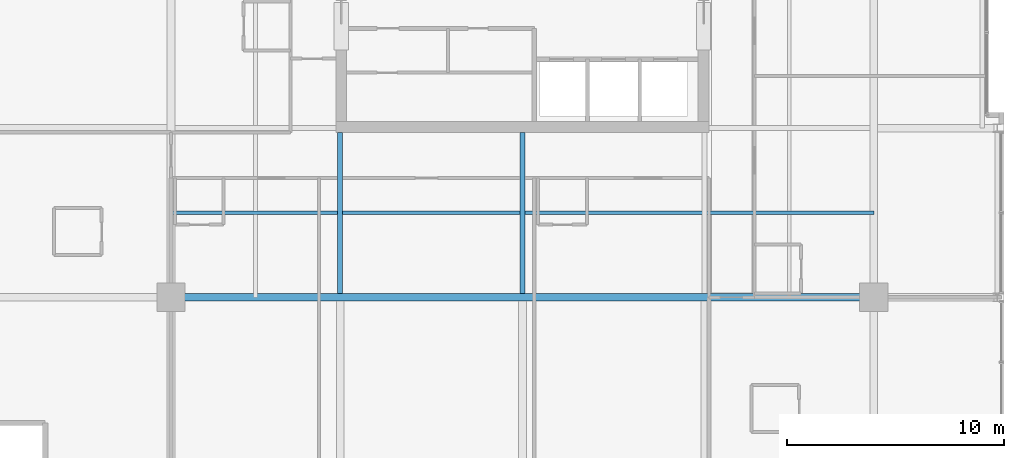
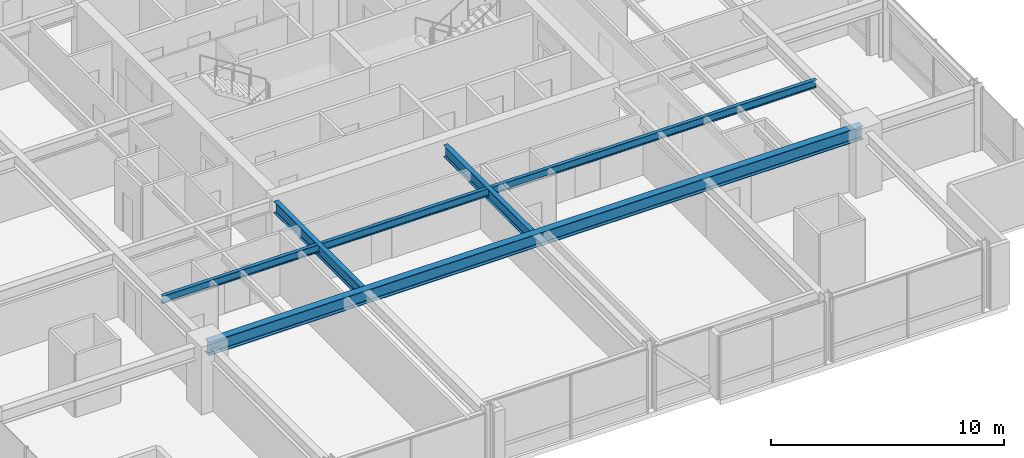
# One storey, part 6 of 32: 4 beams.
"""IFC4 building model written with IfcOpenShell, lengths in metres."""

from ifc_helpers import new_model, si_unit, direction, frame, origin, origin_2d, place, context, subcontext, project, spatial, i_section, extrude, material, material_profile, profile_set, type_object, element, save


model = new_model("IFC4")

# Units and contexts
model_context = context("Model", 3, precision=1e-05, world=origin(), true_north=direction((0.0, 1.0)))
body_context = subcontext(model_context, "Body", "Model", "MODEL_VIEW")
ifc_project = project(units=[si_unit("LENGTHUNIT", "METRE"), si_unit("AREAUNIT", "SQUARE_METRE"), si_unit("VOLUMEUNIT", "CUBIC_METRE"), si_unit("PLANEANGLEUNIT", "RADIAN"), si_unit("MASSUNIT", "GRAM", prefix="KILO")], contexts=[model_context])

# Site, building, storey
site_placement = place(None, origin())
site = spatial("IfcSite", under=ifc_project, at=site_placement, CompositionType="ELEMENT")
building_placement = place(site_placement, origin())
building = spatial("IfcBuilding", under=site, at=building_placement, Name="Drelvath Grand Hotel", CompositionType="ELEMENT")
storey_placement = place(building_placement, frame((0.0, 0.0, 189.449951171875)))
storey = spatial("IfcBuildingStorey", under=building, at=storey_placement, Name="L49", CompositionType="ELEMENT", Elevation=189.449951171875)

# Beams
ifc_material = material(Name="Steel ASTM A992 Gr 50", Category="steel")
ifc_material_profile_1 = material_profile(ifc_material, i_section(OverallWidth=0.177734375, OverallDepth=0.40673828125, WebThickness=0.0078125, FlangeThickness=0.0126953125, FilletRadius=0.014892578125, at=origin_2d()), Name="W16X40")
ifc_profile_set_1 = profile_set([ifc_material_profile_1], Name="Steel ASTM A992 Gr 50")
beam_type_1 = type_object("IfcBeamType", Name="Composite Floor Joist W16X40", PredefinedType="JOIST", material=ifc_profile_set_1)
beam_1_placement = place(storey_placement, frame((-16.199951171875, 14.699951171875, 3.086669921875), z_axis=(1.0, 0.0, 0.0), x_axis=(0.0, 1.0, 0.0)))
element("IfcBeam", 1, at=beam_1_placement, inside=storey, type_object=beam_type_1, Name="L49 Floor Joist J1", PredefinedType="JOIST", context=body_context, shape_type="SweptSolid", body=[
    extrude(i_section(OverallWidth=0.177734375, OverallDepth=0.40673828125, WebThickness=0.0078125, FlangeThickness=0.0126953125, FilletRadius=0.014892578125, at=origin_2d()), origin(), (0.0, 0.0, 1.0), 32.39990234375),
])
ifc_material_profile_2 = material_profile(ifc_material, i_section(OverallWidth=0.228271484375, OverallDepth=0.607666015625, WebThickness=0.01123046875, FlangeThickness=0.017333984375, FilletRadius=0.02001953125, at=origin_2d()), Name="W24X76")
ifc_profile_set_2 = profile_set([ifc_material_profile_2], Name="Steel ASTM A992 Gr 50")
beam_type_2 = type_object("IfcBeamType", Name="Primary Floor Girder W24X76", PredefinedType="BEAM", material=ifc_profile_set_2)
for number, where, z_axis, x_axis, name in (
    (2, (-8.39990234375, 10.977294921875, 2.986328125), (0.0, 1.0, 0.0), (-1.0, 0.0, 0.0), "L49 South Core Tie 4"),
    (3, (0.0, 10.977294921875, 2.986328125), (0.0, 1.0, 0.0), (-1.0, 0.0, 0.0), "L49 South Core Tie 5"),
):
    element("IfcBeam", number, at=place(storey_placement, frame(where, z_axis=z_axis, x_axis=x_axis)), inside=storey, type_object=beam_type_2, Name=name, PredefinedType="BEAM", context=body_context, shape_type="SweptSolid", body=[
        extrude(i_section(OverallWidth=0.228271484375, OverallDepth=0.607666015625, WebThickness=0.01123046875, FlangeThickness=0.017333984375, FilletRadius=0.02001953125, at=origin_2d()), origin(), (0.0, 0.0, 1.0), 7.422607421875),
    ])
ifc_material_profile_3 = material_profile(ifc_material, i_section(OverallWidth=0.354736328125, OverallDepth=0.695556640625, WebThickness=0.015380859375, FlangeThickness=0.025146484375, FilletRadius=0.02392578125, at=origin_2d()), Name="W27X146")
ifc_profile_set_3 = profile_set([ifc_material_profile_3], Name="Steel ASTM A992 Gr 50")
beam_type_3 = type_object("IfcBeamType", Name="Primary Floor Girder W27X146", PredefinedType="BEAM", material=ifc_profile_set_3)
beam_2_placement = place(storey_placement, frame((-16.199951171875, 10.800048828125, 2.9423828125), z_axis=(1.0, 0.0, 0.0), x_axis=(0.0, 1.0, 0.0)))
element("IfcBeam", 4, at=beam_2_placement, inside=storey, type_object=beam_type_3, Name="L49 Mega Ring Girder South", PredefinedType="BEAM", context=body_context, shape_type="SweptSolid", body=[
    extrude(i_section(OverallWidth=0.354736328125, OverallDepth=0.695556640625, WebThickness=0.015380859375, FlangeThickness=0.025146484375, FilletRadius=0.02392578125, at=origin_2d()), origin(), (0.0, 0.0, 1.0), 32.39990234375),
])

save(model, "model.ifc")
